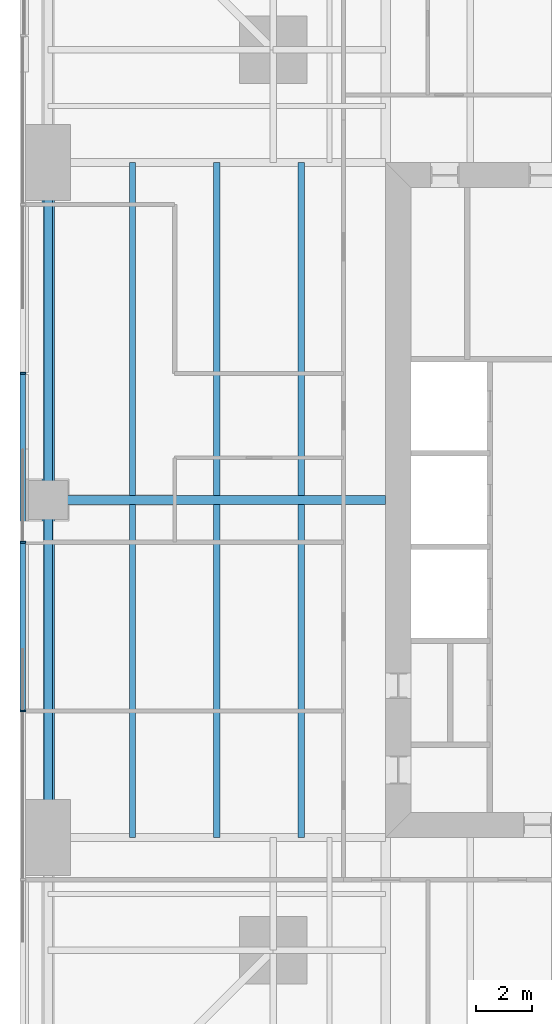
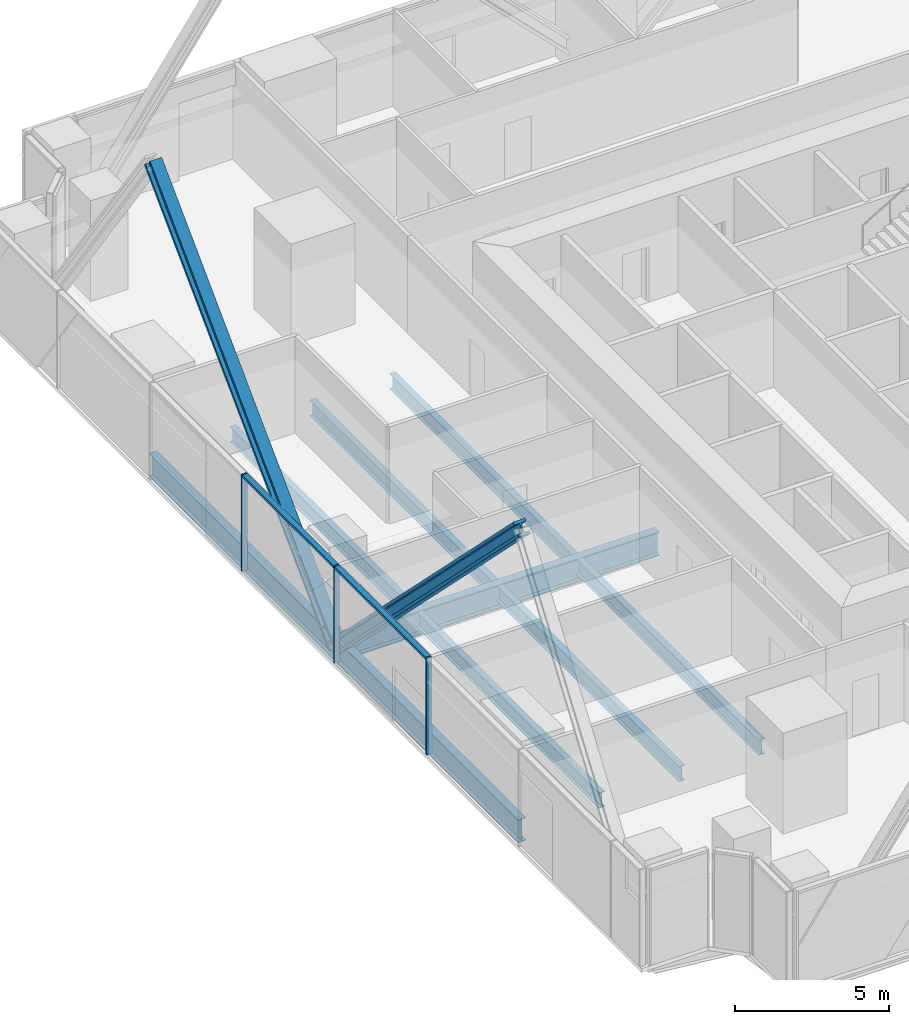
# One storey, part 4 of 13: 9 beams, 7 members, 1 element without a shape of its own.
"""IFC4 building model written with IfcOpenShell, lengths in metres."""

from ifc_helpers import new_model, si_unit, direction, frame, origin, origin_2d, place, context, subcontext, project, spatial, rectangle, i_section, extrude, material, material_profile, profile_set, type_object, element, aggregate, save


model = new_model("IFC4")

# Units and contexts
model_context = context("Model", 3, precision=1e-05, world=origin(), true_north=direction((0.0, 1.0)))
body_context = subcontext(model_context, "Body", "Model", "MODEL_VIEW")
ifc_project = project(units=[si_unit("LENGTHUNIT", "METRE"), si_unit("AREAUNIT", "SQUARE_METRE"), si_unit("VOLUMEUNIT", "CUBIC_METRE"), si_unit("PLANEANGLEUNIT", "RADIAN"), si_unit("MASSUNIT", "GRAM", prefix="KILO")], contexts=[model_context])

# Site, building, storey
site_placement = place(None, origin())
site = spatial("IfcSite", under=ifc_project, at=site_placement, CompositionType="ELEMENT")
building_placement = place(site_placement, origin())
building = spatial("IfcBuilding", under=site, at=building_placement, Name="Fenwick Lantern Interchange", CompositionType="ELEMENT")
storey_placement = place(building_placement, frame((0.0, 0.0, 67.0)))
storey = spatial("IfcBuildingStorey", under=building, at=storey_placement, Name="L15", CompositionType="ELEMENT", Elevation=67.0)

# Beams
ifc_material_1 = material(Name="Steel ASTM A992 Grade 50", Category="steel")
ifc_material_profile_1 = material_profile(ifc_material_1, i_section(OverallWidth=0.3046875, OverallDepth=0.911865234375, WebThickness=0.015869140625, FlangeThickness=0.02392578125, at=origin_2d()), Name="W36X150")
ifc_profile_set_1 = profile_set([ifc_material_profile_1], Name="Steel ASTM A992 Grade 50")
beam_type_1 = type_object("IfcBeamType", Name="EDGE BEAM W36X150", PredefinedType="SPANDREL", material=ifc_profile_set_1)
for number, where, z_axis, x_axis, name in (
    (1, (1.0, 37.0, -0.60595703125), (0.0, -1.0, 0.0), (1.0, 0.0, 0.0), "L15/FR/W/EB2"),
    (2, (1.0, 25.0, -0.60595703125), (0.0, -1.0, 0.0), (1.0, 0.0, 0.0), "L15/FR/W/EB3"),
):
    element("IfcBeam", number, at=place(storey_placement, frame(where, z_axis=z_axis, x_axis=x_axis)), inside=storey, type_object=beam_type_1, Name=name, PredefinedType="SPANDREL", context=body_context, shape_type="SweptSolid", body=[
        extrude(i_section(OverallWidth=0.3046875, OverallDepth=0.911865234375, WebThickness=0.015869140625, FlangeThickness=0.02392578125, at=origin_2d()), origin(), (0.0, 0.0, 1.0), 12.0),
    ])

# Members
ifc_material_profile_2 = material_profile(ifc_material_1, i_section(OverallWidth=0.44189453125, OverallDepth=0.53076171875, WebThickness=0.06591796875, FlangeThickness=0.105712890625, at=origin_2d()), Name="W14X605")
ifc_profile_set_2 = profile_set([ifc_material_profile_2], Name="Steel ASTM A992 Grade 50")
member_type_1 = type_object("IfcMemberType", Name="FACADE BRACE W14X605", PredefinedType="BRACE", material=ifc_profile_set_2)
for number, where, z_axis, x_axis, name in (
    (3, (1.0, 25.0, -0.60595703125), (0.0, 0.707106781187, 0.707106781187), (-1.0, 0.0, 0.0), "L15/FB/W/A"),
    (4, (1.0, 25.0, -0.60595703125), (0.0, -0.707106781187, 0.707106781187), (1.0, 0.0, 0.0), "L15/FB/W/B"),
):
    element("IfcMember", number, at=place(storey_placement, frame(where, z_axis=z_axis, x_axis=x_axis)), inside=storey, type_object=member_type_1, Name=name, PredefinedType="BRACE", context=body_context, shape_type="SweptSolid", body=[
        extrude(i_section(OverallWidth=0.44189453125, OverallDepth=0.53076171875, WebThickness=0.06591796875, FlangeThickness=0.105712890625, at=origin_2d()), origin(), (0.0, 0.0, 1.0), 16.970458984375),
    ])

# Beams
ifc_material_profile_3 = material_profile(ifc_material_1, i_section(OverallWidth=0.22900390625, OverallDepth=0.612060546875, WebThickness=0.011962890625, FlangeThickness=0.01953125, at=origin_2d()), Name="W24X84")
ifc_profile_set_3 = profile_set([ifc_material_profile_3], Name="Steel ASTM A992 Grade 50")
beam_type_2 = type_object("IfcBeamType", Name="FLOOR BEAM W24X84", PredefinedType="BEAM", material=ifc_profile_set_3)
for number, where, z_axis, x_axis, name in (
    (5, (4.0, 37.0, -0.4560546875), (0.0, -1.0, 0.0), (1.0, 0.0, 0.0), "L15/FR/W/B01"),
    (6, (7.0, 37.0, -0.4560546875), (0.0, -1.0, 0.0), (1.0, 0.0, 0.0), "L15/FR/W/B02"),
    (7, (10.0, 37.0, -0.4560546875), (0.0, -1.0, 0.0), (1.0, 0.0, 0.0), "L15/FR/W/B03"),
    (8, (4.0, 24.844970703125, -0.4560546875), (0.0, -1.0, 0.0), (1.0, 0.0, 0.0), "L15/FR/W/B04"),
    (9, (7.0, 24.844970703125, -0.4560546875), (0.0, -1.0, 0.0), (1.0, 0.0, 0.0), "L15/FR/W/B05"),
    (10, (10.0, 24.844970703125, -0.4560546875), (0.0, -1.0, 0.0), (1.0, 0.0, 0.0), "L15/FR/W/B06"),
):
    element("IfcBeam", number, at=place(storey_placement, frame(where, z_axis=z_axis, x_axis=x_axis)), inside=storey, type_object=beam_type_2, Name=name, PredefinedType="BEAM", context=body_context, shape_type="SweptSolid", body=[
        extrude(i_section(OverallWidth=0.22900390625, OverallDepth=0.612060546875, WebThickness=0.011962890625, FlangeThickness=0.01953125, at=origin_2d()), origin(), (0.0, 0.0, 1.0), 11.844970703125),
    ])
ifc_material_profile_4 = material_profile(ifc_material_1, i_section(OverallWidth=0.309814453125, OverallDepth=0.949951171875, WebThickness=0.0244140625, FlangeThickness=0.0439453125, at=origin_2d()), Name="W36X256")
ifc_profile_set_4 = profile_set([ifc_material_profile_4], Name="Steel ASTM A992 Grade 50")
beam_type_3 = type_object("IfcBeamType", Name="MOMENT-CONNECTED GIRDER W36X256", PredefinedType="BEAM", material=ifc_profile_set_4)
beam_placement = place(storey_placement, frame((1.0, 25.0, -0.625), z_axis=(1.0, 0.0, 0.0), x_axis=(0.0, 1.0, 0.0)))
element("IfcBeam", 11, at=beam_placement, inside=storey, type_object=beam_type_3, Name="L15/FR/W/R02", PredefinedType="BEAM", context=body_context, shape_type="SweptSolid", body=[
    extrude(i_section(OverallWidth=0.309814453125, OverallDepth=0.949951171875, WebThickness=0.0244140625, FlangeThickness=0.0439453125, at=origin_2d()), origin(), (0.0, 0.0, 1.0), 12.0),
])

# Curtain wall, members
ifc_material_2 = material(Name="Aluminium curtain wall frame", Category="aluminium")
curtain_wall_type = type_object("IfcCurtainWallType", Name="OFFICE CURTAIN WALL", PredefinedType="USERDEFINED", material=ifc_material_2)
curtain_wall_placement = place(storey_placement, origin())
curtain_wall = element("IfcCurtainWall", 12, at=curtain_wall_placement, inside=storey, type_object=curtain_wall_type, Name="Office curtain wall 13", ObjectType="OFFICE CURTAIN WALL", PredefinedType="USERDEFINED")
ifc_material_3 = material(Name="Aluminium extrusion", Category="aluminium")
ifc_material_profile_5 = material_profile(ifc_material_3, rectangle(XDim=0.199951171875, YDim=0.06494140625, at=origin_2d()), Name="OFFICE CURTAIN WALL MULLION 65 X 200")
ifc_profile_set_5 = profile_set([ifc_material_profile_5], Name="Aluminium extrusion")
member_type_2 = type_object("IfcMemberType", Name="OFFICE CURTAIN WALL MULLION 65 X 200", PredefinedType="MULLION", material=ifc_profile_set_5)
member_1_placement = place(storey_placement, frame((0.10009765625, 29.5, 0.0), z_axis=(0.0, 0.0, 1.0), x_axis=(1.0, 0.0, 0.0)))
member_1 = element("IfcMember", 13, at=member_1_placement, type_object=member_type_2, Name="L15/CW/13/M03", PredefinedType="MULLION", context=body_context, shape_type="SweptSolid", body=[
    extrude(rectangle(XDim=0.199951171875, YDim=0.06494140625, at=origin_2d()), origin(), (0.0, 0.0, 1.0), 3.85009765625),
])
member_2_placement = place(storey_placement, frame((0.10009765625, 23.5, 0.0), z_axis=(0.0, 0.0, 1.0), x_axis=(1.0, 0.0, 0.0)))
member_2 = element("IfcMember", 14, at=member_2_placement, type_object=member_type_2, Name="L15/CW/13/M04", PredefinedType="MULLION", context=body_context, shape_type="SweptSolid", body=[
    extrude(rectangle(XDim=0.199951171875, YDim=0.06494140625, at=origin_2d()), origin(), (0.0, 0.0, 1.0), 3.85009765625),
])
member_3_placement = place(storey_placement, frame((0.10009765625, 17.5, 0.0), z_axis=(0.0, 0.0, 1.0), x_axis=(1.0, 0.0, 0.0)))
member_3 = element("IfcMember", 15, at=member_3_placement, type_object=member_type_2, Name="L15/CW/13/M05", PredefinedType="MULLION", context=body_context, shape_type="SweptSolid", body=[
    extrude(rectangle(XDim=0.199951171875, YDim=0.06494140625, at=origin_2d()), origin(), (0.0, 0.0, 1.0), 3.85009765625),
])
ifc_material_profile_6 = material_profile(ifc_material_3, rectangle(XDim=0.199951171875, YDim=0.10009765625, at=origin_2d()), Name="OFFICE CURTAIN WALL TRANSOM 100 X 200")
ifc_profile_set_6 = profile_set([ifc_material_profile_6], Name="Aluminium extrusion")
member_type_3 = type_object("IfcMemberType", Name="OFFICE CURTAIN WALL TRANSOM 100 X 200", PredefinedType="MULLION", material=ifc_profile_set_6)
member_4_placement = place(storey_placement, frame((0.10009765625, 29.467529296875, 3.800048828125), z_axis=(0.0, -1.0, 0.0), x_axis=(1.0, 0.0, 0.0)))
member_4 = element("IfcMember", 16, at=member_4_placement, type_object=member_type_3, Name="L15/CW/13/T03", PredefinedType="MULLION", context=body_context, shape_type="SweptSolid", body=[
    extrude(rectangle(XDim=0.199951171875, YDim=0.10009765625, at=origin_2d()), origin(), (0.0, 0.0, 1.0), 5.93505859375),
])
member_5_placement = place(storey_placement, frame((0.10009765625, 23.467529296875, 3.800048828125), z_axis=(0.0, -1.0, 0.0), x_axis=(1.0, 0.0, 0.0)))
member_5 = element("IfcMember", 17, at=member_5_placement, type_object=member_type_3, Name="L15/CW/13/T04", PredefinedType="MULLION", context=body_context, shape_type="SweptSolid", body=[
    extrude(rectangle(XDim=0.199951171875, YDim=0.10009765625, at=origin_2d()), origin(), (0.0, 0.0, 1.0), 5.93505859375),
])
aggregate(curtain_wall, [member_1, member_2, member_3, member_4, member_5])

save(model, "model.ifc")
